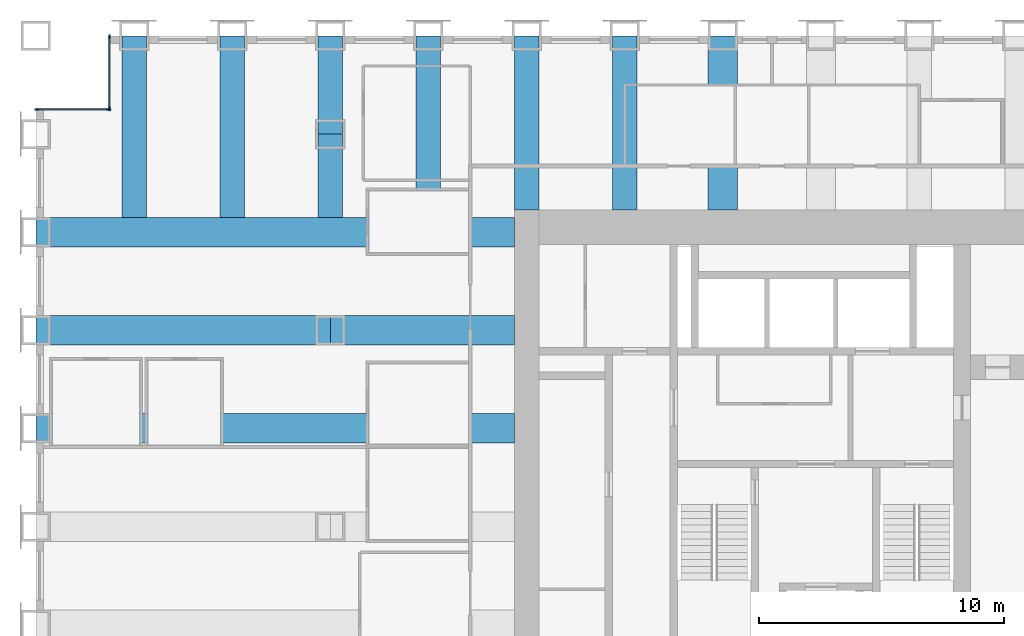
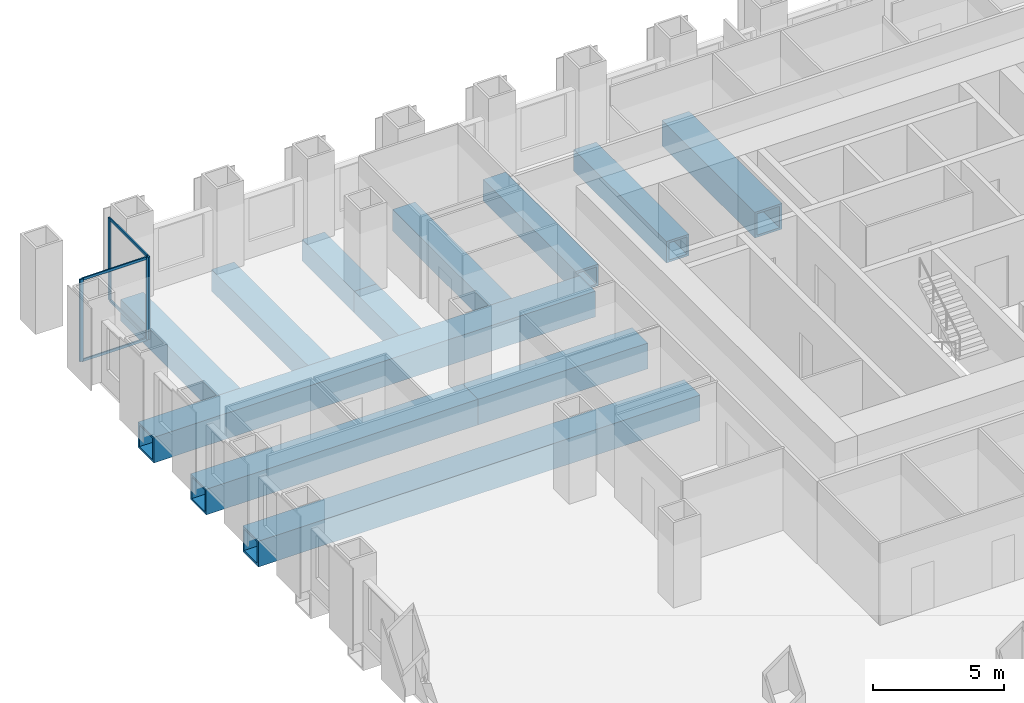
# One storey, part 5 of 14: 12 beams, 8 members, 2 elements without a shape of their own.
"""IFC4 building model written with IfcOpenShell, lengths in metres."""

from ifc_helpers import new_model, si_unit, direction, frame, origin, origin_2d, place, context, subcontext, project, spatial, rectangle, hollow_rectangle, extrude, material, material_profile, profile_set, type_object, element, aggregate, save


model = new_model("IFC4")

# Units and contexts
model_context = context("Model", 3, precision=1e-05, world=origin(), true_north=direction((0.0, 1.0)))
body_context = subcontext(model_context, "Body", "Model", "MODEL_VIEW")
ifc_project = project(units=[si_unit("LENGTHUNIT", "METRE"), si_unit("AREAUNIT", "SQUARE_METRE"), si_unit("VOLUMEUNIT", "CUBIC_METRE"), si_unit("PLANEANGLEUNIT", "RADIAN"), si_unit("MASSUNIT", "GRAM", prefix="KILO")], contexts=[model_context])

# Site, building, storey
site_placement = place(None, origin())
site = spatial("IfcSite", under=ifc_project, at=site_placement, CompositionType="ELEMENT")
building_placement = place(site_placement, origin())
building = spatial("IfcBuilding", under=site, at=building_placement, Name="Rimbunsela Tower", CompositionType="ELEMENT")
storey_placement = place(building_placement, frame((0.0, 0.0, 15.0)))
storey = spatial("IfcBuildingStorey", under=building, at=storey_placement, Name="L03", CompositionType="ELEMENT", Elevation=15.0)

# Beams
ifc_material_1 = material(Name="Steel BJ 55 (fy 410 MPa)", Category="steel")
ifc_material_profile_1 = material_profile(ifc_material_1, hollow_rectangle(XDim=1.0, YDim=1.0, WallThickness=0.10009765625, at=origin_2d()), Name="BOX 1000x1000x100")
ifc_profile_set_1 = profile_set([ifc_material_profile_1], Name="Steel BJ 55 (fy 410 MPa)")
beam_type_1 = type_object("IfcBeamType", Name="Beam BOX 1000x1000x100", PredefinedType="BEAM", material=ifc_profile_set_1)
for number, where, z_axis, x_axis, name in (
    (1, (2.0, 36.60009765625, -0.64990234375), (0.0, 1.0, 0.0), (-1.0, 0.0, 0.0), "Beam B3 L03"),
    (2, (6.0, 36.60009765625, -0.64990234375), (0.0, 1.0, 0.0), (-1.0, 0.0, 0.0), "Beam B3 L03"),
):
    element("IfcBeam", number, at=place(storey_placement, frame(where, z_axis=z_axis, x_axis=x_axis)), inside=storey, type_object=beam_type_1, Name=name, PredefinedType="BEAM", context=body_context, shape_type="SweptSolid", body=[
        extrude(hollow_rectangle(XDim=1.0, YDim=1.0, WallThickness=0.10009765625, at=origin_2d()), origin(), (0.0, 0.0, 1.0), 7.39990234375),
    ])
beam_1_placement = place(storey_placement, frame((10.0, 36.60009765625, -0.64990234375), z_axis=(0.0, 1.0, 0.0), x_axis=(-1.0, 0.0, 0.0)))
element("IfcBeam", 3, at=beam_1_placement, inside=storey, type_object=beam_type_1, Name="Beam B3 L03", PredefinedType="BEAM", context=body_context, shape_type="SweptSolid", body=[
    extrude(hollow_rectangle(XDim=1.0, YDim=1.0, WallThickness=0.10009765625, at=origin_2d()), origin(), (0.0, 0.0, 1.0), 3.39990234375),
])
beam_2_placement = place(storey_placement, frame((10.0, 40.0, -0.64990234375), z_axis=(0.0, 1.0, 0.0), x_axis=(-1.0, 0.0, 0.0)))
element("IfcBeam", 4, at=beam_2_placement, inside=storey, type_object=beam_type_1, Name="Beam B3 L03", PredefinedType="BEAM", context=body_context, shape_type="SweptSolid", body=[
    extrude(hollow_rectangle(XDim=1.0, YDim=1.0, WallThickness=0.10009765625, at=origin_2d()), origin(), (0.0, 0.0, 1.0), 4.0),
])
beam_3_placement = place(storey_placement, frame((14.0, 36.60009765625, -0.64990234375), z_axis=(0.0, 1.0, 0.0), x_axis=(-1.0, 0.0, 0.0)))
element("IfcBeam", 5, at=beam_3_placement, inside=storey, type_object=beam_type_1, Name="Beam B3 L03", PredefinedType="BEAM", context=body_context, shape_type="SweptSolid", body=[
    extrude(hollow_rectangle(XDim=1.0, YDim=1.0, WallThickness=0.10009765625, at=origin_2d()), origin(), (0.0, 0.0, 1.0), 7.39990234375),
])
for number, where, z_axis, x_axis, name in (
    (6, (18.0, 36.89990234375, -0.64990234375), (0.0, 1.0, 0.0), (-1.0, 0.0, 0.0), "Beam B3 L03"),
    (7, (22.0, 36.89990234375, -0.64990234375), (0.0, 1.0, 0.0), (-1.0, 0.0, 0.0), "Beam B3 L03"),
):
    element("IfcBeam", number, at=place(storey_placement, frame(where, z_axis=z_axis, x_axis=x_axis)), inside=storey, type_object=beam_type_1, Name=name, PredefinedType="BEAM", context=body_context, shape_type="SweptSolid", body=[
        extrude(hollow_rectangle(XDim=1.0, YDim=1.0, WallThickness=0.10009765625, at=origin_2d()), origin(), (0.0, 0.0, 1.0), 7.10009765625),
    ])
ifc_material_2 = material(Name="Steel BJ 55 (fy 410 MPa)", Category="steel")
ifc_material_profile_2 = material_profile(ifc_material_2, hollow_rectangle(XDim=1.199951171875, YDim=1.199951171875, WallThickness=0.10009765625, at=origin_2d()), Name="BOX 1200x1200x100")
ifc_profile_set_2 = profile_set([ifc_material_profile_2], Name="Steel BJ 55 (fy 410 MPa)")
beam_type_2 = type_object("IfcBeamType", Name="Beam BOX 1200x1200x100", PredefinedType="BEAM", material=ifc_profile_set_2)
beam_4_placement = place(storey_placement, frame((-2.0, 28.0, -0.75), z_axis=(1.0, 0.0, 0.0), x_axis=(0.0, 1.0, 0.0)))
element("IfcBeam", 8, at=beam_4_placement, inside=storey, type_object=beam_type_2, Name="Beam B5 L03", PredefinedType="BEAM", context=body_context, shape_type="SweptSolid", body=[
    extrude(hollow_rectangle(XDim=1.199951171875, YDim=1.199951171875, WallThickness=0.10009765625, at=origin_2d()), origin(), (0.0, 0.0, 1.0), 19.5),
])
beam_5_placement = place(storey_placement, frame((-2.0, 32.0, -0.75), z_axis=(1.0, 0.0, 0.0), x_axis=(0.0, 1.0, 0.0)))
element("IfcBeam", 9, at=beam_5_placement, inside=storey, type_object=beam_type_2, Name="Beam B5 L03", PredefinedType="BEAM", context=body_context, shape_type="SweptSolid", body=[
    extrude(hollow_rectangle(XDim=1.199951171875, YDim=1.199951171875, WallThickness=0.10009765625, at=origin_2d()), origin(), (0.0, 0.0, 1.0), 12.0),
])
beam_6_placement = place(storey_placement, frame((-2.0, 36.0, -0.75), z_axis=(1.0, 0.0, 0.0), x_axis=(0.0, 1.0, 0.0)))
element("IfcBeam", 10, at=beam_6_placement, inside=storey, type_object=beam_type_2, Name="Beam B5 L03", PredefinedType="BEAM", context=body_context, shape_type="SweptSolid", body=[
    extrude(hollow_rectangle(XDim=1.199951171875, YDim=1.199951171875, WallThickness=0.10009765625, at=origin_2d()), origin(), (0.0, 0.0, 1.0), 19.5),
])
beam_7_placement = place(storey_placement, frame((10.0, 32.0, -0.75), z_axis=(1.0, 0.0, 0.0), x_axis=(0.0, 1.0, 0.0)))
element("IfcBeam", 11, at=beam_7_placement, inside=storey, type_object=beam_type_2, Name="Beam B5 L03", PredefinedType="BEAM", context=body_context, shape_type="SweptSolid", body=[
    extrude(hollow_rectangle(XDim=1.199951171875, YDim=1.199951171875, WallThickness=0.10009765625, at=origin_2d()), origin(), (0.0, 0.0, 1.0), 7.5),
])
beam_8_placement = place(storey_placement, frame((26.0, 36.89990234375, -0.75), z_axis=(0.0, 1.0, 0.0), x_axis=(-1.0, 0.0, 0.0)))
element("IfcBeam", 12, at=beam_8_placement, inside=storey, type_object=beam_type_2, Name="Beam B5 L03", PredefinedType="BEAM", context=body_context, shape_type="SweptSolid", body=[
    extrude(hollow_rectangle(XDim=1.199951171875, YDim=1.199951171875, WallThickness=0.10009765625, at=origin_2d()), origin(), (0.0, 0.0, 1.0), 7.10009765625),
])

# Curtain wall, members
ifc_material_3 = material(Name="Aluminium curtain wall", Category="aluminium")
curtain_wall_type = type_object("IfcCurtainWallType", Name="Corner glazing", PredefinedType="USERDEFINED", material=ifc_material_3)
curtain_wall_1_placement = place(storey_placement, origin())
curtain_wall_1 = element("IfcCurtainWall", 13, at=curtain_wall_1_placement, inside=storey, type_object=curtain_wall_type, Name="Corner glazing L03", ObjectType="CORNER GLAZING", PredefinedType="USERDEFINED")
ifc_material_4 = material(Name="Aluminium mullion", Category="aluminium")
ifc_material_profile_3 = material_profile(ifc_material_4, rectangle(XDim=0.06005859375, YDim=0.159912109375, at=origin_2d()), Name="Mullion 60x160")
ifc_profile_set_3 = profile_set([ifc_material_profile_3], Name="Aluminium mullion")
member_type_1 = type_object("IfcMemberType", Name="Curtain wall mullion 60x160", PredefinedType="MULLION", material=ifc_profile_set_3)
member_1_placement = place(storey_placement, frame((1.0, 43.969970703125, 0.0), z_axis=(0.0, 0.0, 1.0), x_axis=(1.0, 0.0, 0.0)))
member_1 = element("IfcMember", 14, at=member_1_placement, type_object=member_type_1, Name="CW5 mullion 1", PredefinedType="MULLION", context=body_context, shape_type="SweptSolid", body=[
    extrude(rectangle(XDim=0.06005859375, YDim=0.159912109375, at=origin_2d()), origin(), (0.0, 0.0, 1.0), 3.85009765625),
])
member_2_placement = place(storey_placement, frame((1.0, 41.030029296875, 0.0), z_axis=(0.0, 0.0, 1.0), x_axis=(1.0, 0.0, 0.0)))
member_2 = element("IfcMember", 15, at=member_2_placement, type_object=member_type_1, Name="CW5 mullion 2", PredefinedType="MULLION", context=body_context, shape_type="SweptSolid", body=[
    extrude(rectangle(XDim=0.06005859375, YDim=0.159912109375, at=origin_2d()), origin(), (0.0, 0.0, 1.0), 3.85009765625),
])

curtain_wall_2_placement = place(storey_placement, origin())
curtain_wall_2 = element("IfcCurtainWall", 16, at=curtain_wall_2_placement, inside=storey, type_object=curtain_wall_type, Name="Corner glazing L03", ObjectType="CORNER GLAZING", PredefinedType="USERDEFINED")
member_3_placement = place(storey_placement, frame((0.969970703125, 41.0, 0.0), z_axis=(0.0, 0.0, 1.0), x_axis=(0.0, -1.0, 0.0)))
member_3 = element("IfcMember", 17, at=member_3_placement, type_object=member_type_1, Name="CW5 mullion 1", PredefinedType="MULLION", context=body_context, shape_type="SweptSolid", body=[
    extrude(rectangle(XDim=0.06005859375, YDim=0.159912109375, at=origin_2d()), origin(), (0.0, 0.0, 1.0), 3.85009765625),
])
member_4_placement = place(storey_placement, frame((-1.969970703125, 41.0, 0.0), z_axis=(0.0, 0.0, 1.0), x_axis=(0.0, -1.0, 0.0)))
member_4 = element("IfcMember", 18, at=member_4_placement, type_object=member_type_1, Name="CW5 mullion 2", PredefinedType="MULLION", context=body_context, shape_type="SweptSolid", body=[
    extrude(rectangle(XDim=0.06005859375, YDim=0.159912109375, at=origin_2d()), origin(), (0.0, 0.0, 1.0), 3.85009765625),
])

# Member
ifc_material_5 = material(Name="Aluminium transom", Category="aluminium")
ifc_material_profile_4 = material_profile(ifc_material_5, rectangle(XDim=0.06005859375, YDim=0.1201171875, at=origin_2d()), Name="Transom 60x120")
ifc_profile_set_4 = profile_set([ifc_material_profile_4], Name="Aluminium transom")
member_type_2 = type_object("IfcMemberType", Name="Curtain wall transom 60x120", PredefinedType="USERDEFINED", material=ifc_profile_set_4)
member_5_placement = place(storey_placement, frame((1.0, 43.93994140625, 0.030029296875), z_axis=(0.0, -1.0, 0.0), x_axis=(1.0, 0.0, 0.0)))
member_5 = element("IfcMember", 19, at=member_5_placement, type_object=member_type_2, Name="CW5 transom 1.1", ObjectType="TRANSOM", PredefinedType="USERDEFINED", context=body_context, shape_type="SweptSolid", body=[
    extrude(rectangle(XDim=0.06005859375, YDim=0.1201171875, at=origin_2d()), origin(), (0.0, 0.0, 1.0), 2.8798828125),
])

member_6_placement = place(storey_placement, frame((1.0, 43.93994140625, 3.820068359375), z_axis=(0.0, -1.0, 0.0), x_axis=(1.0, 0.0, 0.0)))
member_6 = element("IfcMember", 20, at=member_6_placement, type_object=member_type_2, Name="CW5 transom 1.2", ObjectType="TRANSOM", PredefinedType="USERDEFINED", context=body_context, shape_type="SweptSolid", body=[
    extrude(rectangle(XDim=0.06005859375, YDim=0.1201171875, at=origin_2d()), origin(), (0.0, 0.0, 1.0), 2.8798828125),
])

aggregate(curtain_wall_1, [member_1, member_2, member_5, member_6])

member_7_placement = place(storey_placement, frame((0.93994140625, 41.0, 0.030029296875), z_axis=(-1.0, 0.0, 0.0), x_axis=(0.0, -1.0, 0.0)))
member_7 = element("IfcMember", 21, at=member_7_placement, type_object=member_type_2, Name="CW5 transom 1.1", ObjectType="TRANSOM", PredefinedType="USERDEFINED", context=body_context, shape_type="SweptSolid", body=[
    extrude(rectangle(XDim=0.06005859375, YDim=0.1201171875, at=origin_2d()), origin(), (0.0, 0.0, 1.0), 2.8798828125),
])

member_8_placement = place(storey_placement, frame((0.93994140625, 41.0, 3.820068359375), z_axis=(-1.0, 0.0, 0.0), x_axis=(0.0, -1.0, 0.0)))
member_8 = element("IfcMember", 22, at=member_8_placement, type_object=member_type_2, Name="CW5 transom 1.2", ObjectType="TRANSOM", PredefinedType="USERDEFINED", context=body_context, shape_type="SweptSolid", body=[
    extrude(rectangle(XDim=0.06005859375, YDim=0.1201171875, at=origin_2d()), origin(), (0.0, 0.0, 1.0), 2.8798828125),
])

aggregate(curtain_wall_2, [member_3, member_4, member_7, member_8])

save(model, "model.ifc")
